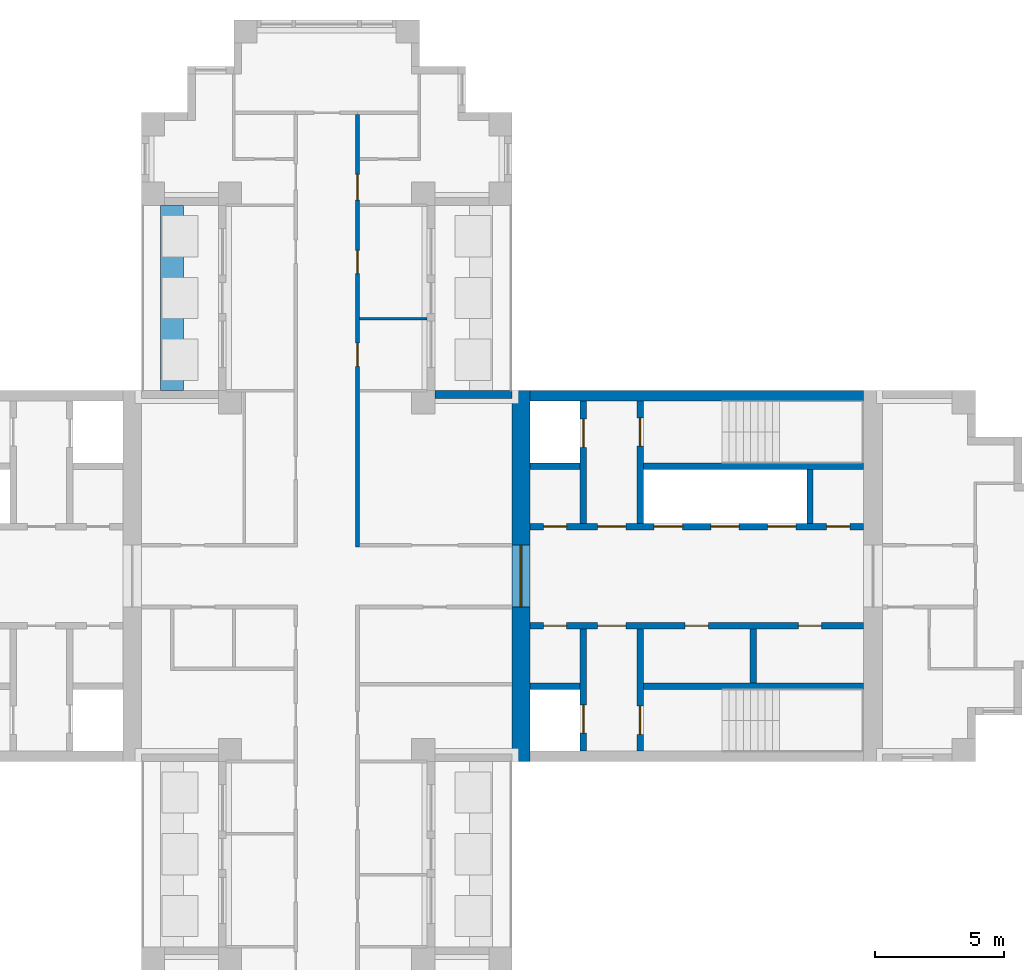
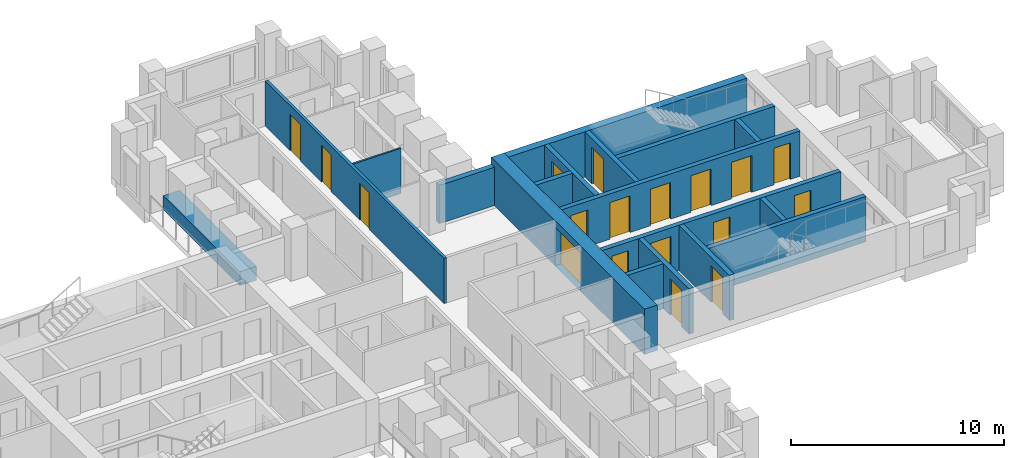
# One storey, part 6 of 11: 18 doors, 18 walls, 18 openings.
"""IFC4 building model written with IfcOpenShell, lengths in metres."""

from ifc_helpers import new_model, si_unit, direction, frame, frame_2d, origin, place, context, subcontext, project, spatial, rectangle, extrude, material, layer, layer_set, type_object, element, fill, save


model = new_model("IFC4")

# Units and contexts
model_context = context("Model", 3, precision=1e-05, world=origin(), true_north=direction((0.0, 1.0)))
body_context = subcontext(model_context, "Body", "Model", "MODEL_VIEW")
ifc_project = project(units=[si_unit("LENGTHUNIT", "METRE"), si_unit("AREAUNIT", "SQUARE_METRE"), si_unit("VOLUMEUNIT", "CUBIC_METRE"), si_unit("PLANEANGLEUNIT", "RADIAN"), si_unit("MASSUNIT", "GRAM", prefix="KILO")], contexts=[model_context])

# Site, building, storey
site_placement = place(None, origin())
site = spatial("IfcSite", under=ifc_project, at=site_placement, CompositionType="ELEMENT")
building_placement = place(site_placement, origin())
building = spatial("IfcBuilding", under=site, at=building_placement, Name="Fustian Cross Tower", CompositionType="ELEMENT")
storey_placement = place(building_placement, frame((0.0, 0.0, 173.699951171875)))
storey = spatial("IfcBuildingStorey", under=building, at=storey_placement, Name="L54", CompositionType="ELEMENT", Elevation=173.699951171875)

# Wall, openings, doors
ifc_material_1 = material(Name="Plasterboard on steel stud", Category="steel")
ifc_layer_1 = layer(ifc_material_1, 0.14990234375)
ifc_layer_set_1 = layer_set([ifc_layer_1], Name="Plasterboard on steel stud")
wall_type_1 = type_object("IfcWallType", Name="COMPARTMENT WALL 150 EI 60", PredefinedType="PARTITIONING", material=ifc_layer_set_1)
wall_1_placement = place(storey_placement, frame((1.199951171875, 1.125, 0.0), z_axis=(0.0, 0.0, 1.0), x_axis=(0.0, 1.0, 0.0)))
wall_1 = element("IfcWall", 1, at=wall_1_placement, inside=storey, type_object=wall_type_1, Name="Partition 41", PredefinedType="PARTITIONING", context=body_context, shape_type="SweptSolid", body=[
    extrude(rectangle(XDim=16.800048828125, YDim=0.14990234375, at=frame_2d((8.39990234375, 0.0))), origin(), (0.0, 0.0, 1.0), 2.60009765625),
])
opening_1_placement = place(wall_1_placement, frame((7.02490234375, 0.0, 0.0)))
opening_1 = element("IfcOpeningElement", 2, at=opening_1_placement, cuts=wall_1, Name="Opening D25017", PredefinedType="OPENING", context=body_context, shape_type="SweptSolid", body=[
    extrude(rectangle(XDim=0.89990234375, YDim=2.10009765625, at=frame_2d((0.449951171875, 1.050048828125))), frame((0.0, 0.0849609375, 0.0), z_axis=(0.0, -1.0, 0.0), x_axis=(1.0, 0.0, 0.0)), (0.0, 0.0, 1.0), 0.169921875),
])
opening_2_placement = place(wall_1_placement, frame((10.625, 0.0, 0.0)))
opening_2 = element("IfcOpeningElement", 3, at=opening_2_placement, cuts=wall_1, Name="Opening D25018", PredefinedType="OPENING", context=body_context, shape_type="SweptSolid", body=[
    extrude(rectangle(XDim=0.89990234375, YDim=2.10009765625, at=frame_2d((0.449951171875, 1.050048828125))), frame((0.0, 0.0849609375, 0.0), z_axis=(0.0, -1.0, 0.0), x_axis=(1.0, 0.0, 0.0)), (0.0, 0.0, 1.0), 0.169921875),
])
opening_3_placement = place(wall_1_placement, frame((13.47509765625, 0.0, 0.0)))
opening_3 = element("IfcOpeningElement", 4, at=opening_3_placement, cuts=wall_1, Name="Opening D25020", PredefinedType="OPENING", context=body_context, shape_type="SweptSolid", body=[
    extrude(rectangle(XDim=1.0, YDim=2.10009765625, at=frame_2d((0.5, 1.050048828125))), frame((0.0, 0.0849609375, 0.0), z_axis=(0.0, -1.0, 0.0), x_axis=(1.0, 0.0, 0.0)), (0.0, 0.0, 1.0), 0.169921875),
])
ifc_material_2 = material(Name="Timber fire door set", Category="wood")
door_type_1 = type_object("IfcDoorType", Name="FIRE SWING DOOR 1000 FD30S", OperationType="SINGLE_SWING_LEFT", PredefinedType="DOOR", material=ifc_material_2)
door_1_placement = place(opening_3_placement, frame((1.0, 0.0, 0.0), z_axis=(0.0, 0.0, 1.0), x_axis=(-1.0, 0.0, 0.0)))
door_1 = element("IfcDoor", 5, at=door_1_placement, inside=storey, type_object=door_type_1, Name="Door D25020", OperationType="SINGLE_SWING_RIGHT", OverallHeight=2.10009765625, OverallWidth=1.0, PredefinedType="DOOR", context=body_context, shape_type="SweptSolid", body=[
    extrude(rectangle(XDim=1.0, YDim=2.10009765625, at=frame_2d((0.5, 1.050048828125))), frame((0.0, 0.02490234375, 0.0), z_axis=(0.0, -1.0, 0.0), x_axis=(1.0, 0.0, 0.0)), (0.0, 0.0, 1.0), 0.050048828125),
])
fill(opening_3, door_1)
ifc_material_3 = material(Name="Timber fire door set", Category="wood")
door_type_2 = type_object("IfcDoorType", Name="FIRE SWING DOOR 900 FD30S", OperationType="SINGLE_SWING_LEFT", PredefinedType="DOOR", material=ifc_material_3)
door_2_placement = place(opening_1_placement, frame((0.89990234375, 0.0, 0.0), z_axis=(0.0, 0.0, 1.0), x_axis=(-1.0, 0.0, 0.0)))
door_2 = element("IfcDoor", 6, at=door_2_placement, inside=storey, type_object=door_type_2, Name="Door D25017", OperationType="SINGLE_SWING_RIGHT", OverallHeight=2.10009765625, OverallWidth=0.89990234375, PredefinedType="DOOR", context=body_context, shape_type="SweptSolid", body=[
    extrude(rectangle(XDim=0.89990234375, YDim=2.10009765625, at=frame_2d((0.449951171875, 1.050048828125))), frame((0.0, 0.02490234375, 0.0), z_axis=(0.0, -1.0, 0.0), x_axis=(1.0, 0.0, 0.0)), (0.0, 0.0, 1.0), 0.050048828125),
])
fill(opening_1, door_2)
door_3_placement = place(opening_2_placement, frame((0.89990234375, 0.0, 0.0), z_axis=(0.0, 0.0, 1.0), x_axis=(-1.0, 0.0, 0.0)))
door_3 = element("IfcDoor", 7, at=door_3_placement, inside=storey, type_object=door_type_2, Name="Door D25018", OperationType="SINGLE_SWING_RIGHT", OverallHeight=2.10009765625, OverallWidth=0.89990234375, PredefinedType="DOOR", context=body_context, shape_type="SweptSolid", body=[
    extrude(rectangle(XDim=0.89990234375, YDim=2.10009765625, at=frame_2d((0.449951171875, 1.050048828125))), frame((0.0, 0.02490234375, 0.0), z_axis=(0.0, -1.0, 0.0), x_axis=(1.0, 0.0, 0.0)), (0.0, 0.0, 1.0), 0.050048828125),
])
fill(opening_2, door_3)

# Wall, opening, door
ifc_material_4 = material(Name="Concrete C50/60", Category="concrete")
ifc_layer_2 = layer(ifc_material_4, 0.699951171875)
ifc_layer_set_2 = layer_set([ifc_layer_2], Name="Concrete C50/60")
wall_type_2 = type_object("IfcWallType", Name="CORE END WALL 700 C50/60", PredefinedType="SHEAR", material=ifc_layer_set_2)
wall_2_placement = place(storey_placement, frame((7.550048828125, -7.199951171875, 0.0), z_axis=(0.0, 0.0, 1.0), x_axis=(0.0, 1.0, 0.0)))
wall_2 = element("IfcWall", 8, at=wall_2_placement, inside=storey, type_object=wall_type_2, Name="Core end wall", PredefinedType="SHEAR", context=body_context, shape_type="SweptSolid", body=[
    extrude(rectangle(XDim=14.39990234375, YDim=0.699951171875, at=frame_2d((7.199951171875, 0.0))), origin(), (0.0, 0.0, 1.0), 2.60009765625),
])
opening_4_placement = place(wall_2_placement, frame((6.0, 0.0, 0.0)))
opening_4 = element("IfcOpeningElement", 9, at=opening_4_placement, cuts=wall_2, Name="Opening CD-22-12", PredefinedType="OPENING", context=body_context, shape_type="SweptSolid", body=[
    extrude(rectangle(XDim=2.39990234375, YDim=2.199951171875, at=frame_2d((1.199951171875, 1.10009765625))), frame((0.0, 0.35986328125, 0.0), z_axis=(0.0, -1.0, 0.0), x_axis=(1.0, 0.0, 0.0)), (0.0, 0.0, 1.0), 0.719970703125),
])
ifc_material_5 = material(Name="Steel", Category="steel")
door_type_3 = type_object("IfcDoorType", Name="FIRE DOOR FD30S DOUBLE 2400X2200", OperationType="DOUBLE_DOOR_DOUBLE_SWING", PredefinedType="DOOR", material=ifc_material_5)
door_4_placement = place(opening_4_placement, frame((2.39990234375, 0.0, 0.0), z_axis=(0.0, 0.0, 1.0), x_axis=(-1.0, 0.0, 0.0)))
door_4 = element("IfcDoor", 10, at=door_4_placement, inside=storey, type_object=door_type_3, Name="Core door CD-22-12", OperationType="DOUBLE_DOOR_DOUBLE_SWING", OverallHeight=2.199951171875, OverallWidth=2.39990234375, PredefinedType="DOOR", context=body_context, shape_type="SweptSolid", body=[
    extrude(rectangle(XDim=2.39990234375, YDim=2.199951171875, at=frame_2d((1.199951171875, 1.10009765625))), frame((0.0, 0.02490234375, 0.0), z_axis=(0.0, -1.0, 0.0), x_axis=(1.0, 0.0, 0.0)), (0.0, 0.0, 1.0), 0.050048828125),
])
fill(opening_4, door_4)

# Wall
ifc_material_6 = material(Name="Concrete C50/60", Category="concrete")
ifc_layer_3 = layer(ifc_material_6, 0.39990234375)
ifc_layer_set_3 = layer_set([ifc_layer_3], Name="Concrete C50/60")
wall_type_3 = type_object("IfcWallType", Name="CORE FACADE WALL 400 C50/60", PredefinedType="SHEAR", material=ifc_layer_set_3)
wall_3_placement = place(storey_placement, frame((7.89990234375, 7.0, 0.0), z_axis=(0.0, 0.0, 1.0), x_axis=(1.0, 0.0, 0.0)))
element("IfcWall", 11, at=wall_3_placement, inside=storey, type_object=wall_type_3, Name="Core facade wall", PredefinedType="SHEAR", context=body_context, shape_type="SweptSolid", body=[
    extrude(rectangle(XDim=12.9501953125, YDim=0.39990234375, at=frame_2d((6.47509765625, 0.0))), origin(), (0.0, 0.0, 1.0), 2.60009765625),
])

# Wall, openings, doors
ifc_material_7 = material(Name="Concrete C50/60", Category="concrete")
ifc_layer_4 = layer(ifc_material_7, 0.25)
ifc_layer_set_4 = layer_set([ifc_layer_4], Name="Concrete C50/60")
wall_type_4 = type_object("IfcWallType", Name="CORE LOBBY WALL 250 C50/60", PredefinedType="SHEAR", material=ifc_layer_set_4)
wall_4_placement = place(storey_placement, frame((7.89990234375, 1.925048828125, 0.0), z_axis=(0.0, 0.0, 1.0), x_axis=(1.0, 0.0, 0.0)))
wall_4 = element("IfcWall", 12, at=wall_4_placement, inside=storey, type_object=wall_type_4, Name="Core lobby wall", PredefinedType="SHEAR", context=body_context, shape_type="SweptSolid", body=[
    extrude(rectangle(XDim=12.9501953125, YDim=0.25, at=frame_2d((6.47509765625, 0.0))), origin(), (0.0, 0.0, 1.0), 2.60009765625),
])
opening_5_placement = place(wall_4_placement, frame((4.824951171875, 0.0, 0.0)))
opening_5 = element("IfcOpeningElement", 13, at=opening_5_placement, cuts=wall_4, Name="Opening LD", PredefinedType="OPENING", context=body_context, shape_type="SweptSolid", body=[
    extrude(rectangle(XDim=1.10009765625, YDim=2.10009765625, at=frame_2d((0.550048828125, 1.050048828125))), frame((0.0, 0.135009765625, 0.0), z_axis=(0.0, -1.0, 0.0), x_axis=(1.0, 0.0, 0.0)), (0.0, 0.0, 1.0), 0.27001953125),
])
opening_6_placement = place(wall_4_placement, frame((7.02490234375, 0.0, 0.0)))
opening_6 = element("IfcOpeningElement", 14, at=opening_6_placement, cuts=wall_4, Name="Opening LD", PredefinedType="OPENING", context=body_context, shape_type="SweptSolid", body=[
    extrude(rectangle(XDim=1.10009765625, YDim=2.10009765625, at=frame_2d((0.550048828125, 1.050048828125))), frame((0.0, 0.135009765625, 0.0), z_axis=(0.0, -1.0, 0.0), x_axis=(1.0, 0.0, 0.0)), (0.0, 0.0, 1.0), 0.27001953125),
])
opening_7_placement = place(wall_4_placement, frame((9.22509765625, 0.0, 0.0)))
opening_7 = element("IfcOpeningElement", 15, at=opening_7_placement, cuts=wall_4, Name="Opening LD", PredefinedType="OPENING", context=body_context, shape_type="SweptSolid", body=[
    extrude(rectangle(XDim=1.10009765625, YDim=2.10009765625, at=frame_2d((0.550048828125, 1.050048828125))), frame((0.0, 0.135009765625, 0.0), z_axis=(0.0, -1.0, 0.0), x_axis=(1.0, 0.0, 0.0)), (0.0, 0.0, 1.0), 0.27001953125),
])
opening_8_placement = place(wall_4_placement, frame((0.52490234375, 0.0, 0.0)))
opening_8 = element("IfcOpeningElement", 16, at=opening_8_placement, cuts=wall_4, Name="Opening CD-22-08", PredefinedType="OPENING", context=body_context, shape_type="SweptSolid", body=[
    extrude(rectangle(XDim=0.89990234375, YDim=2.10009765625, at=frame_2d((0.449951171875, 1.050048828125))), frame((0.0, 0.135009765625, 0.0), z_axis=(0.0, -1.0, 0.0), x_axis=(1.0, 0.0, 0.0)), (0.0, 0.0, 1.0), 0.27001953125),
])
opening_9_placement = place(wall_4_placement, frame((2.625, 0.0, 0.0)))
opening_9 = element("IfcOpeningElement", 17, at=opening_9_placement, cuts=wall_4, Name="Opening CD-22-10", PredefinedType="OPENING", context=body_context, shape_type="SweptSolid", body=[
    extrude(rectangle(XDim=1.10009765625, YDim=2.10009765625, at=frame_2d((0.550048828125, 1.050048828125))), frame((0.0, 0.135009765625, 0.0), z_axis=(0.0, -1.0, 0.0), x_axis=(1.0, 0.0, 0.0)), (0.0, 0.0, 1.0), 0.27001953125),
])
opening_10_placement = place(wall_4_placement, frame((11.52490234375, 0.0, 0.0)))
opening_10 = element("IfcOpeningElement", 18, at=opening_10_placement, cuts=wall_4, Name="Opening CD-22-14", PredefinedType="OPENING", context=body_context, shape_type="SweptSolid", body=[
    extrude(rectangle(XDim=0.89990234375, YDim=2.10009765625, at=frame_2d((0.449951171875, 1.050048828125))), frame((0.0, 0.135009765625, 0.0), z_axis=(0.0, -1.0, 0.0), x_axis=(1.0, 0.0, 0.0)), (0.0, 0.0, 1.0), 0.27001953125),
])
ifc_material_8 = material(Name="Steel", Category="steel")
door_type_4 = type_object("IfcDoorType", Name="FIRE DOOR FD30S 900X2100", OperationType="SINGLE_SWING_LEFT", PredefinedType="DOOR", material=ifc_material_8)
door_5_placement = place(opening_10_placement, origin())
door_5 = element("IfcDoor", 19, at=door_5_placement, inside=storey, type_object=door_type_4, Name="Core door CD-22-14", OperationType="SINGLE_SWING_LEFT", OverallHeight=2.10009765625, OverallWidth=0.89990234375, PredefinedType="DOOR", context=body_context, shape_type="SweptSolid", body=[
    extrude(rectangle(XDim=0.89990234375, YDim=2.10009765625, at=frame_2d((0.449951171875, 1.050048828125))), frame((0.0, 0.02490234375, 0.0), z_axis=(0.0, -1.0, 0.0), x_axis=(1.0, 0.0, 0.0)), (0.0, 0.0, 1.0), 0.050048828125),
])
fill(opening_10, door_5)
ifc_material_9 = material(Name="Steel", Category="steel")
door_type_5 = type_object("IfcDoorType", Name="FIRE DOOR FD60S 1100X2100", OperationType="SINGLE_SWING_LEFT", PredefinedType="DOOR", material=ifc_material_9)
door_6_placement = place(opening_9_placement, frame((1.10009765625, 0.0, 0.0), z_axis=(0.0, 0.0, 1.0), x_axis=(-1.0, 0.0, 0.0)))
door_6 = element("IfcDoor", 20, at=door_6_placement, inside=storey, type_object=door_type_5, Name="Core door CD-22-10", OperationType="SINGLE_SWING_RIGHT", OverallHeight=2.10009765625, OverallWidth=1.10009765625, PredefinedType="DOOR", context=body_context, shape_type="SweptSolid", body=[
    extrude(rectangle(XDim=1.10009765625, YDim=2.10009765625, at=frame_2d((0.550048828125, 1.050048828125))), frame((0.0, 0.02490234375, 0.0), z_axis=(0.0, -1.0, 0.0), x_axis=(1.0, 0.0, 0.0)), (0.0, 0.0, 1.0), 0.050048828125),
])
fill(opening_9, door_6)
ifc_material_10 = material(Name="Steel", Category="steel")
door_type_6 = type_object("IfcDoorType", Name="FIRE DOOR FD60S 900X2100", OperationType="SINGLE_SWING_LEFT", PredefinedType="DOOR", material=ifc_material_10)
door_7_placement = place(opening_8_placement, origin())
door_7 = element("IfcDoor", 21, at=door_7_placement, inside=storey, type_object=door_type_6, Name="Core door CD-22-08", OperationType="SINGLE_SWING_LEFT", OverallHeight=2.10009765625, OverallWidth=0.89990234375, PredefinedType="DOOR", context=body_context, shape_type="SweptSolid", body=[
    extrude(rectangle(XDim=0.89990234375, YDim=2.10009765625, at=frame_2d((0.449951171875, 1.050048828125))), frame((0.0, 0.02490234375, 0.0), z_axis=(0.0, -1.0, 0.0), x_axis=(1.0, 0.0, 0.0)), (0.0, 0.0, 1.0), 0.050048828125),
])
fill(opening_8, door_7)
ifc_material_11 = material(Name="Stainless steel", Category="steel")
door_type_7 = type_object("IfcDoorType", Name="LIFT LANDING DOOR 1100X2100", OperationType="SLIDING_TO_LEFT", PredefinedType="DOOR", material=ifc_material_11)
door_8_placement = place(opening_5_placement, origin())
door_8 = element("IfcDoor", 22, at=door_8_placement, inside=storey, type_object=door_type_7, Name="Landing door HR1", OperationType="SLIDING_TO_LEFT", OverallHeight=2.10009765625, OverallWidth=1.10009765625, PredefinedType="DOOR", context=body_context, shape_type="SweptSolid", body=[
    extrude(rectangle(XDim=1.10009765625, YDim=2.10009765625, at=frame_2d((0.550048828125, 1.050048828125))), frame((0.0, 0.02490234375, 0.0), z_axis=(0.0, -1.0, 0.0), x_axis=(1.0, 0.0, 0.0)), (0.0, 0.0, 1.0), 0.050048828125),
])
fill(opening_5, door_8)
door_9_placement = place(opening_6_placement, origin())
door_9 = element("IfcDoor", 23, at=door_9_placement, inside=storey, type_object=door_type_7, Name="Landing door HR2", OperationType="SLIDING_TO_LEFT", OverallHeight=2.10009765625, OverallWidth=1.10009765625, PredefinedType="DOOR", context=body_context, shape_type="SweptSolid", body=[
    extrude(rectangle(XDim=1.10009765625, YDim=2.10009765625, at=frame_2d((0.550048828125, 1.050048828125))), frame((0.0, 0.02490234375, 0.0), z_axis=(0.0, -1.0, 0.0), x_axis=(1.0, 0.0, 0.0)), (0.0, 0.0, 1.0), 0.050048828125),
])
fill(opening_6, door_9)
door_10_placement = place(opening_7_placement, origin())
door_10 = element("IfcDoor", 24, at=door_10_placement, inside=storey, type_object=door_type_7, Name="Landing door HR3", OperationType="SLIDING_TO_LEFT", OverallHeight=2.10009765625, OverallWidth=1.10009765625, PredefinedType="DOOR", context=body_context, shape_type="SweptSolid", body=[
    extrude(rectangle(XDim=1.10009765625, YDim=2.10009765625, at=frame_2d((0.550048828125, 1.050048828125))), frame((0.0, 0.02490234375, 0.0), z_axis=(0.0, -1.0, 0.0), x_axis=(1.0, 0.0, 0.0)), (0.0, 0.0, 1.0), 0.050048828125),
])
fill(opening_7, door_10)

wall_5_placement = place(storey_placement, frame((7.89990234375, -1.925048828125, 0.0), z_axis=(0.0, 0.0, 1.0), x_axis=(1.0, 0.0, 0.0)))
wall_5 = element("IfcWall", 25, at=wall_5_placement, inside=storey, type_object=wall_type_4, Name="Core lobby wall", PredefinedType="SHEAR", context=body_context, shape_type="SweptSolid", body=[
    extrude(rectangle(XDim=12.9501953125, YDim=0.25, at=frame_2d((6.47509765625, 0.0))), origin(), (0.0, 0.0, 1.0), 2.60009765625),
])
opening_11_placement = place(wall_5_placement, frame((0.52490234375, 0.0, 0.0)))
opening_11 = element("IfcOpeningElement", 26, at=opening_11_placement, cuts=wall_5, Name="Opening CD-22-09", PredefinedType="OPENING", context=body_context, shape_type="SweptSolid", body=[
    extrude(rectangle(XDim=0.89990234375, YDim=2.10009765625, at=frame_2d((0.449951171875, 1.050048828125))), frame((0.0, 0.135009765625, 0.0), z_axis=(0.0, -1.0, 0.0), x_axis=(1.0, 0.0, 0.0)), (0.0, 0.0, 1.0), 0.27001953125),
])
opening_12_placement = place(wall_5_placement, frame((2.625, 0.0, 0.0)))
opening_12 = element("IfcOpeningElement", 27, at=opening_12_placement, cuts=wall_5, Name="Opening CD-22-11", PredefinedType="OPENING", context=body_context, shape_type="SweptSolid", body=[
    extrude(rectangle(XDim=1.10009765625, YDim=2.10009765625, at=frame_2d((0.550048828125, 1.050048828125))), frame((0.0, 0.135009765625, 0.0), z_axis=(0.0, -1.0, 0.0), x_axis=(1.0, 0.0, 0.0)), (0.0, 0.0, 1.0), 0.27001953125),
])
opening_13_placement = place(wall_5_placement, frame((6.02490234375, 0.0, 0.0)))
opening_13 = element("IfcOpeningElement", 28, at=opening_13_placement, cuts=wall_5, Name="Opening CD-22-15", PredefinedType="OPENING", context=body_context, shape_type="SweptSolid", body=[
    extrude(rectangle(XDim=0.89990234375, YDim=2.10009765625, at=frame_2d((0.449951171875, 1.050048828125))), frame((0.0, 0.135009765625, 0.0), z_axis=(0.0, -1.0, 0.0), x_axis=(1.0, 0.0, 0.0)), (0.0, 0.0, 1.0), 0.27001953125),
])
opening_14_placement = place(wall_5_placement, frame((10.425048828125, 0.0, 0.0)))
opening_14 = element("IfcOpeningElement", 29, at=opening_14_placement, cuts=wall_5, Name="Opening CD-22-16", PredefinedType="OPENING", context=body_context, shape_type="SweptSolid", body=[
    extrude(rectangle(XDim=0.89990234375, YDim=2.10009765625, at=frame_2d((0.449951171875, 1.050048828125))), frame((0.0, 0.135009765625, 0.0), z_axis=(0.0, -1.0, 0.0), x_axis=(1.0, 0.0, 0.0)), (0.0, 0.0, 1.0), 0.27001953125),
])
ifc_material_12 = material(Name="Steel", Category="steel")
door_type_8 = type_object("IfcDoorType", Name="FIRE DOOR FD30S 1100X2100", OperationType="SINGLE_SWING_LEFT", PredefinedType="DOOR", material=ifc_material_12)
door_11_placement = place(opening_12_placement, frame((1.10009765625, 0.0, 0.0), z_axis=(0.0, 0.0, 1.0), x_axis=(-1.0, 0.0, 0.0)))
door_11 = element("IfcDoor", 30, at=door_11_placement, inside=storey, type_object=door_type_8, Name="Core door CD-22-11", OperationType="SINGLE_SWING_RIGHT", OverallHeight=2.10009765625, OverallWidth=1.10009765625, PredefinedType="DOOR", context=body_context, shape_type="SweptSolid", body=[
    extrude(rectangle(XDim=1.10009765625, YDim=2.10009765625, at=frame_2d((0.550048828125, 1.050048828125))), frame((0.0, 0.02490234375, 0.0), z_axis=(0.0, -1.0, 0.0), x_axis=(1.0, 0.0, 0.0)), (0.0, 0.0, 1.0), 0.050048828125),
])
fill(opening_12, door_11)
door_12_placement = place(opening_11_placement, frame((0.89990234375, 0.0, 0.0), z_axis=(0.0, 0.0, 1.0), x_axis=(-1.0, 0.0, 0.0)))
door_12 = element("IfcDoor", 31, at=door_12_placement, inside=storey, type_object=door_type_4, Name="Core door CD-22-09", OperationType="SINGLE_SWING_RIGHT", OverallHeight=2.10009765625, OverallWidth=0.89990234375, PredefinedType="DOOR", context=body_context, shape_type="SweptSolid", body=[
    extrude(rectangle(XDim=0.89990234375, YDim=2.10009765625, at=frame_2d((0.449951171875, 1.050048828125))), frame((0.0, 0.02490234375, 0.0), z_axis=(0.0, -1.0, 0.0), x_axis=(1.0, 0.0, 0.0)), (0.0, 0.0, 1.0), 0.050048828125),
])
fill(opening_11, door_12)
door_13_placement = place(opening_13_placement, frame((0.89990234375, 0.0, 0.0), z_axis=(0.0, 0.0, 1.0), x_axis=(-1.0, 0.0, 0.0)))
door_13 = element("IfcDoor", 32, at=door_13_placement, inside=storey, type_object=door_type_4, Name="Core door CD-22-15", OperationType="SINGLE_SWING_LEFT", OverallHeight=2.10009765625, OverallWidth=0.89990234375, PredefinedType="DOOR", context=body_context, shape_type="SweptSolid", body=[
    extrude(rectangle(XDim=0.89990234375, YDim=2.10009765625, at=frame_2d((0.449951171875, 1.050048828125))), frame((0.0, 0.02490234375, 0.0), z_axis=(0.0, -1.0, 0.0), x_axis=(1.0, 0.0, 0.0)), (0.0, 0.0, 1.0), 0.050048828125),
])
fill(opening_13, door_13)
door_14_placement = place(opening_14_placement, frame((0.89990234375, 0.0, 0.0), z_axis=(0.0, 0.0, 1.0), x_axis=(-1.0, 0.0, 0.0)))
door_14 = element("IfcDoor", 33, at=door_14_placement, inside=storey, type_object=door_type_4, Name="Core door CD-22-16", OperationType="SINGLE_SWING_LEFT", OverallHeight=2.10009765625, OverallWidth=0.89990234375, PredefinedType="DOOR", context=body_context, shape_type="SweptSolid", body=[
    extrude(rectangle(XDim=0.89990234375, YDim=2.10009765625, at=frame_2d((0.449951171875, 1.050048828125))), frame((0.0, 0.02490234375, 0.0), z_axis=(0.0, -1.0, 0.0), x_axis=(1.0, 0.0, 0.0)), (0.0, 0.0, 1.0), 0.050048828125),
])
fill(opening_14, door_14)

# Walls
ifc_material_13 = material(Name="Concrete C50/60", Category="concrete")
ifc_layer_5 = layer(ifc_material_13, 0.25)
ifc_layer_set_5 = layer_set([ifc_layer_5], Name="Concrete C50/60")
wall_type_5 = type_object("IfcWallType", Name="CORE SHAFT WALL 250 C50/60", PredefinedType="SHEAR", material=ifc_layer_set_5)
wall_6_placement = place(storey_placement, frame((7.89990234375, 4.27490234375, 0.0), z_axis=(0.0, 0.0, 1.0), x_axis=(1.0, 0.0, 0.0)))
element("IfcWall", 34, at=wall_6_placement, inside=storey, type_object=wall_type_5, Name="Core shaft wall", PredefinedType="SHEAR", context=body_context, shape_type="SweptSolid", body=[
    extrude(rectangle(XDim=1.9501953125, YDim=0.25, at=frame_2d((0.97509765625, 0.0))), origin(), (0.0, 0.0, 1.0), 2.60009765625),
])
wall_7_placement = place(storey_placement, frame((12.300048828125, 4.27490234375, 0.0), z_axis=(0.0, 0.0, 1.0), x_axis=(1.0, 0.0, 0.0)))
element("IfcWall", 35, at=wall_7_placement, inside=storey, type_object=wall_type_5, Name="Core shaft wall", PredefinedType="SHEAR", context=body_context, shape_type="SweptSolid", body=[
    extrude(rectangle(XDim=8.550048828125, YDim=0.25, at=frame_2d((4.27490234375, 0.0))), origin(), (0.0, 0.0, 1.0), 2.60009765625),
])

# Wall, opening, door
wall_8_placement = place(storey_placement, frame((9.97509765625, 2.050048828125, 0.0), z_axis=(0.0, 0.0, 1.0), x_axis=(0.0, 1.0, 0.0)))
wall_8 = element("IfcWall", 36, at=wall_8_placement, inside=storey, type_object=wall_type_5, Name="Core shaft wall", PredefinedType="SHEAR", context=body_context, shape_type="SweptSolid", body=[
    extrude(rectangle(XDim=4.75, YDim=0.25, at=frame_2d((2.375, 0.0))), origin(), (0.0, 0.0, 1.0), 2.60009765625),
])
opening_15_placement = place(wall_8_placement, frame((2.949951171875, 0.0, 0.0)))
opening_15 = element("IfcOpeningElement", 37, at=opening_15_placement, cuts=wall_8, Name="Opening LD", PredefinedType="OPENING", context=body_context, shape_type="SweptSolid", body=[
    extrude(rectangle(XDim=1.10009765625, YDim=2.10009765625, at=frame_2d((0.550048828125, 1.050048828125))), frame((0.0, 0.135009765625, 0.0), z_axis=(0.0, -1.0, 0.0), x_axis=(1.0, 0.0, 0.0)), (0.0, 0.0, 1.0), 0.27001953125),
])
door_15_placement = place(opening_15_placement, origin())
door_15 = element("IfcDoor", 38, at=door_15_placement, inside=storey, type_object=door_type_7, Name="Landing door FL1", OperationType="SLIDING_TO_LEFT", OverallHeight=2.10009765625, OverallWidth=1.10009765625, PredefinedType="DOOR", context=body_context, shape_type="SweptSolid", body=[
    extrude(rectangle(XDim=1.10009765625, YDim=2.10009765625, at=frame_2d((0.550048828125, 1.050048828125))), frame((0.0, 0.02490234375, 0.0), z_axis=(0.0, -1.0, 0.0), x_axis=(1.0, 0.0, 0.0)), (0.0, 0.0, 1.0), 0.050048828125),
])
fill(opening_15, door_15)

wall_9_placement = place(storey_placement, frame((12.175048828125, 2.050048828125, 0.0), z_axis=(0.0, 0.0, 1.0), x_axis=(0.0, 1.0, 0.0)))
wall_9 = element("IfcWall", 39, at=wall_9_placement, inside=storey, type_object=wall_type_5, Name="Core shaft wall", PredefinedType="SHEAR", context=body_context, shape_type="SweptSolid", body=[
    extrude(rectangle(XDim=4.75, YDim=0.25, at=frame_2d((2.375, 0.0))), origin(), (0.0, 0.0, 1.0), 2.60009765625),
])
opening_16_placement = place(wall_9_placement, frame((3.0, 0.0, 0.0)))
opening_16 = element("IfcOpeningElement", 40, at=opening_16_placement, cuts=wall_9, Name="Opening CD-22-06", PredefinedType="OPENING", context=body_context, shape_type="SweptSolid", body=[
    extrude(rectangle(XDim=1.10009765625, YDim=2.10009765625, at=frame_2d((0.550048828125, 1.050048828125))), frame((0.0, 0.135009765625, 0.0), z_axis=(0.0, -1.0, 0.0), x_axis=(1.0, 0.0, 0.0)), (0.0, 0.0, 1.0), 0.27001953125),
])
door_16_placement = place(opening_16_placement, frame((1.10009765625, 0.0, 0.0), z_axis=(0.0, 0.0, 1.0), x_axis=(-1.0, 0.0, 0.0)))
door_16 = element("IfcDoor", 41, at=door_16_placement, inside=storey, type_object=door_type_5, Name="Core door CD-22-06", OperationType="SINGLE_SWING_RIGHT", OverallHeight=2.10009765625, OverallWidth=1.10009765625, PredefinedType="DOOR", context=body_context, shape_type="SweptSolid", body=[
    extrude(rectangle(XDim=1.10009765625, YDim=2.10009765625, at=frame_2d((0.550048828125, 1.050048828125))), frame((0.0, 0.02490234375, 0.0), z_axis=(0.0, -1.0, 0.0), x_axis=(1.0, 0.0, 0.0)), (0.0, 0.0, 1.0), 0.050048828125),
])
fill(opening_16, door_16)

# Walls
wall_10_placement = place(storey_placement, frame((7.89990234375, -4.27490234375, 0.0), z_axis=(0.0, 0.0, 1.0), x_axis=(1.0, 0.0, 0.0)))
element("IfcWall", 42, at=wall_10_placement, inside=storey, type_object=wall_type_5, Name="Core shaft wall", PredefinedType="SHEAR", context=body_context, shape_type="SweptSolid", body=[
    extrude(rectangle(XDim=1.9501953125, YDim=0.25, at=frame_2d((0.97509765625, 0.0))), origin(), (0.0, 0.0, 1.0), 2.60009765625),
])
wall_11_placement = place(storey_placement, frame((12.300048828125, -4.27490234375, 0.0), z_axis=(0.0, 0.0, 1.0), x_axis=(1.0, 0.0, 0.0)))
element("IfcWall", 43, at=wall_11_placement, inside=storey, type_object=wall_type_5, Name="Core shaft wall", PredefinedType="SHEAR", context=body_context, shape_type="SweptSolid", body=[
    extrude(rectangle(XDim=8.550048828125, YDim=0.25, at=frame_2d((4.27490234375, 0.0))), origin(), (0.0, 0.0, 1.0), 2.60009765625),
])

# Wall, opening, door
wall_12_placement = place(storey_placement, frame((9.97509765625, -2.050048828125, 0.0), z_axis=(0.0, 0.0, 1.0), x_axis=(0.0, -1.0, 0.0)))
wall_12 = element("IfcWall", 44, at=wall_12_placement, inside=storey, type_object=wall_type_5, Name="Core shaft wall", PredefinedType="SHEAR", context=body_context, shape_type="SweptSolid", body=[
    extrude(rectangle(XDim=4.75, YDim=0.25, at=frame_2d((2.375, 0.0))), origin(), (0.0, 0.0, 1.0), 2.60009765625),
])
opening_17_placement = place(wall_12_placement, frame((2.949951171875, 0.0, 0.0)))
opening_17 = element("IfcOpeningElement", 45, at=opening_17_placement, cuts=wall_12, Name="Opening LD", PredefinedType="OPENING", context=body_context, shape_type="SweptSolid", body=[
    extrude(rectangle(XDim=1.10009765625, YDim=2.10009765625, at=frame_2d((0.550048828125, 1.050048828125))), frame((0.0, 0.135009765625, 0.0), z_axis=(0.0, -1.0, 0.0), x_axis=(1.0, 0.0, 0.0)), (0.0, 0.0, 1.0), 0.27001953125),
])
door_17_placement = place(opening_17_placement, origin())
door_17 = element("IfcDoor", 46, at=door_17_placement, inside=storey, type_object=door_type_7, Name="Landing door SV1", OperationType="SLIDING_TO_LEFT", OverallHeight=2.10009765625, OverallWidth=1.10009765625, PredefinedType="DOOR", context=body_context, shape_type="SweptSolid", body=[
    extrude(rectangle(XDim=1.10009765625, YDim=2.10009765625, at=frame_2d((0.550048828125, 1.050048828125))), frame((0.0, 0.02490234375, 0.0), z_axis=(0.0, -1.0, 0.0), x_axis=(1.0, 0.0, 0.0)), (0.0, 0.0, 1.0), 0.050048828125),
])
fill(opening_17, door_17)

wall_13_placement = place(storey_placement, frame((12.175048828125, -2.050048828125, 0.0), z_axis=(0.0, 0.0, 1.0), x_axis=(0.0, -1.0, 0.0)))
wall_13 = element("IfcWall", 47, at=wall_13_placement, inside=storey, type_object=wall_type_5, Name="Core shaft wall", PredefinedType="SHEAR", context=body_context, shape_type="SweptSolid", body=[
    extrude(rectangle(XDim=4.75, YDim=0.25, at=frame_2d((2.375, 0.0))), origin(), (0.0, 0.0, 1.0), 2.60009765625),
])
opening_18_placement = place(wall_13_placement, frame((3.0, 0.0, 0.0)))
opening_18 = element("IfcOpeningElement", 48, at=opening_18_placement, cuts=wall_13, Name="Opening CD-22-07", PredefinedType="OPENING", context=body_context, shape_type="SweptSolid", body=[
    extrude(rectangle(XDim=1.10009765625, YDim=2.10009765625, at=frame_2d((0.550048828125, 1.050048828125))), frame((0.0, 0.135009765625, 0.0), z_axis=(0.0, -1.0, 0.0), x_axis=(1.0, 0.0, 0.0)), (0.0, 0.0, 1.0), 0.27001953125),
])
door_18_placement = place(opening_18_placement, origin())
door_18 = element("IfcDoor", 49, at=door_18_placement, inside=storey, type_object=door_type_5, Name="Core door CD-22-07", OperationType="SINGLE_SWING_LEFT", OverallHeight=2.10009765625, OverallWidth=1.10009765625, PredefinedType="DOOR", context=body_context, shape_type="SweptSolid", body=[
    extrude(rectangle(XDim=1.10009765625, YDim=2.10009765625, at=frame_2d((0.550048828125, 1.050048828125))), frame((0.0, 0.02490234375, 0.0), z_axis=(0.0, -1.0, 0.0), x_axis=(1.0, 0.0, 0.0)), (0.0, 0.0, 1.0), 0.050048828125),
])
fill(opening_18, door_18)

# Walls
ifc_material_14 = material(Name="Plasterboard on steel stud", Category="steel")
ifc_layer_6 = layer(ifc_material_14, 0.10009765625)
ifc_layer_set_6 = layer_set([ifc_layer_6], Name="Plasterboard on steel stud")
wall_type_6 = type_object("IfcWallType", Name="PARTITION 100 STUD", PredefinedType="PARTITIONING", material=ifc_layer_set_6)
wall_14_placement = place(storey_placement, frame((1.27490234375, 10.0, 0.0), z_axis=(0.0, 0.0, 1.0), x_axis=(1.0, 0.0, 0.0)))
element("IfcWall", 50, at=wall_14_placement, inside=storey, type_object=wall_type_6, Name="Partition 44", PredefinedType="PARTITIONING", context=body_context, shape_type="SweptSolid", body=[
    extrude(rectangle(XDim=2.625, YDim=0.10009765625, at=frame_2d((1.3125, 0.0))), origin(), (0.0, 0.0, 1.0), 2.60009765625),
])
ifc_material_15 = material(Name="Concrete C40/50", Category="concrete")
ifc_layer_7 = layer(ifc_material_15, 0.89990234375)
ifc_layer_set_7 = layer_set([ifc_layer_7], Name="Concrete C40/50")
wall_type_7 = type_object("IfcWallType", Name="PK1 PLANTER 900", PredefinedType="PARAPET", material=ifc_layer_set_7)
wall_15_placement = place(storey_placement, frame((-6.0, 7.199951171875, 0.0), z_axis=(0.0, 0.0, 1.0), x_axis=(0.0, 1.0, 0.0)))
element("IfcWall", 51, at=wall_15_placement, inside=storey, type_object=wall_type_7, Name="PLANTER", PredefinedType="PARAPET", context=body_context, shape_type="SweptSolid", body=[
    extrude(rectangle(XDim=7.199951171875, YDim=0.89990234375, at=frame_2d((3.60009765625, 0.0))), origin(), (0.0, 0.0, 1.0), 0.800048828125),
])
ifc_material_16 = material(Name="Concrete C40/50", Category="concrete")
ifc_layer_8 = layer(ifc_material_16, 0.25)
ifc_layer_set_8 = layer_set([ifc_layer_8], Name="Concrete C40/50")
wall_type_8 = type_object("IfcWallType", Name="SHAFT PARTITION WALL 250 C40/50", PredefinedType="PARTITIONING", material=ifc_layer_set_8)
for number, where, z_axis, x_axis, name in (
    (52, (18.77490234375, 2.050048828125, 0.0), (0.0, 0.0, 1.0), (0.0, 1.0, 0.0), "Core shaft wall"),
    (53, (16.574951171875, -2.050048828125, 0.0), (0.0, 0.0, 1.0), (0.0, -1.0, 0.0), "Core shaft wall"),
):
    element("IfcWall", number, at=place(storey_placement, frame(where, z_axis=z_axis, x_axis=x_axis)), inside=storey, type_object=wall_type_8, Name=name, PredefinedType="PARTITIONING", context=body_context, shape_type="SweptSolid", body=[
        extrude(rectangle(XDim=2.099853515625, YDim=0.25, at=frame_2d((1.0498046875, 0.0))), origin(), (0.0, 0.0, 1.0), 2.60009765625),
    ])
ifc_material_17 = material(Name="Dark aluminium cladding on insulated backing wall", Category="aluminium")
ifc_layer_9 = layer(ifc_material_17, 0.300048828125)
ifc_layer_set_9 = layer_set([ifc_layer_9], Name="Dark aluminium cladding on insulated backing wall")
wall_type_9 = type_object("IfcWallType", Name="XW1 EXTERNAL WALL 300", PredefinedType="SOLIDWALL", material=ifc_layer_set_9)
wall_16_placement = place(storey_placement, frame((7.199951171875, 7.050048828125, 0.0), z_axis=(0.0, 0.0, 1.0), x_axis=(-1.0, 0.0, 0.0)))
element("IfcWall", 54, at=wall_16_placement, inside=storey, type_object=wall_type_9, Name="External wall", PredefinedType="SOLIDWALL", context=body_context, shape_type="SweptSolid", body=[
    extrude(rectangle(XDim=3.0, YDim=0.300048828125, at=frame_2d((1.5, 0.0))), origin(), (0.0, 0.0, 1.0), 2.199951171875),
])

save(model, "model.ifc")
